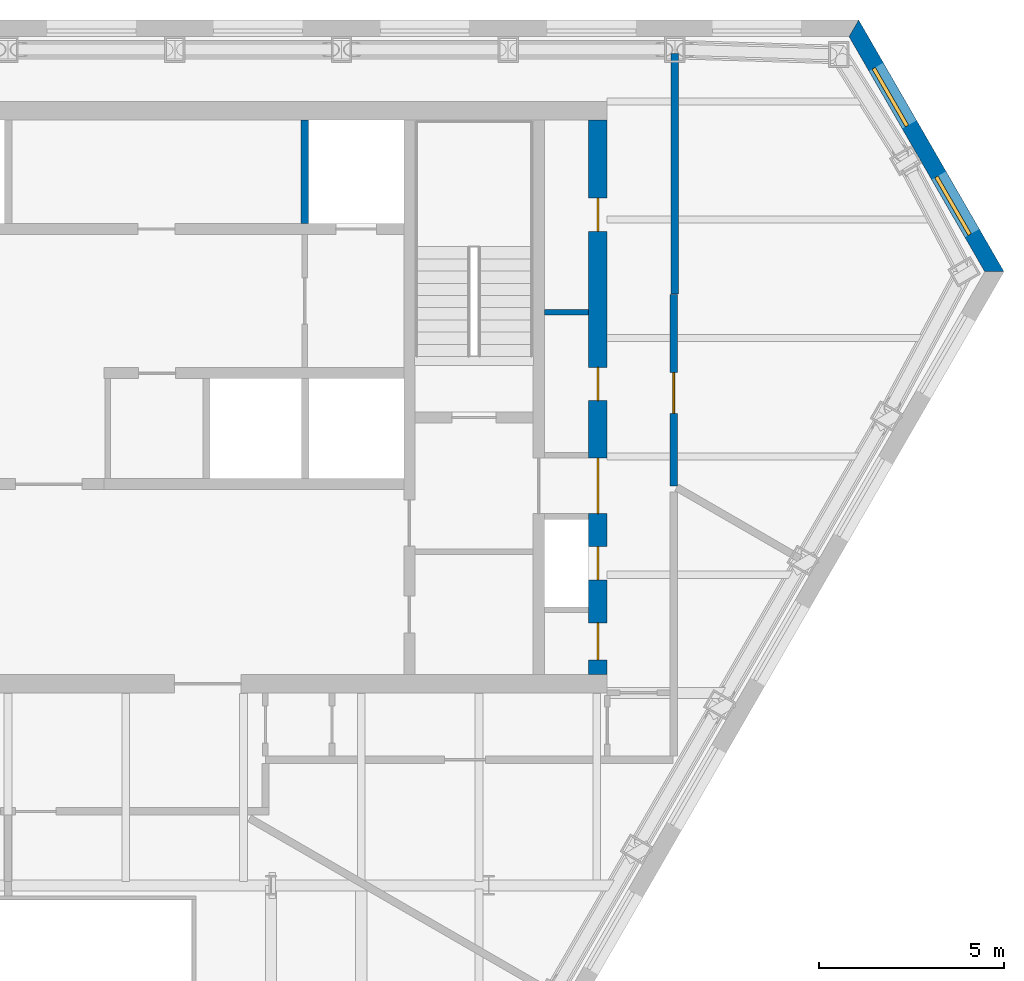
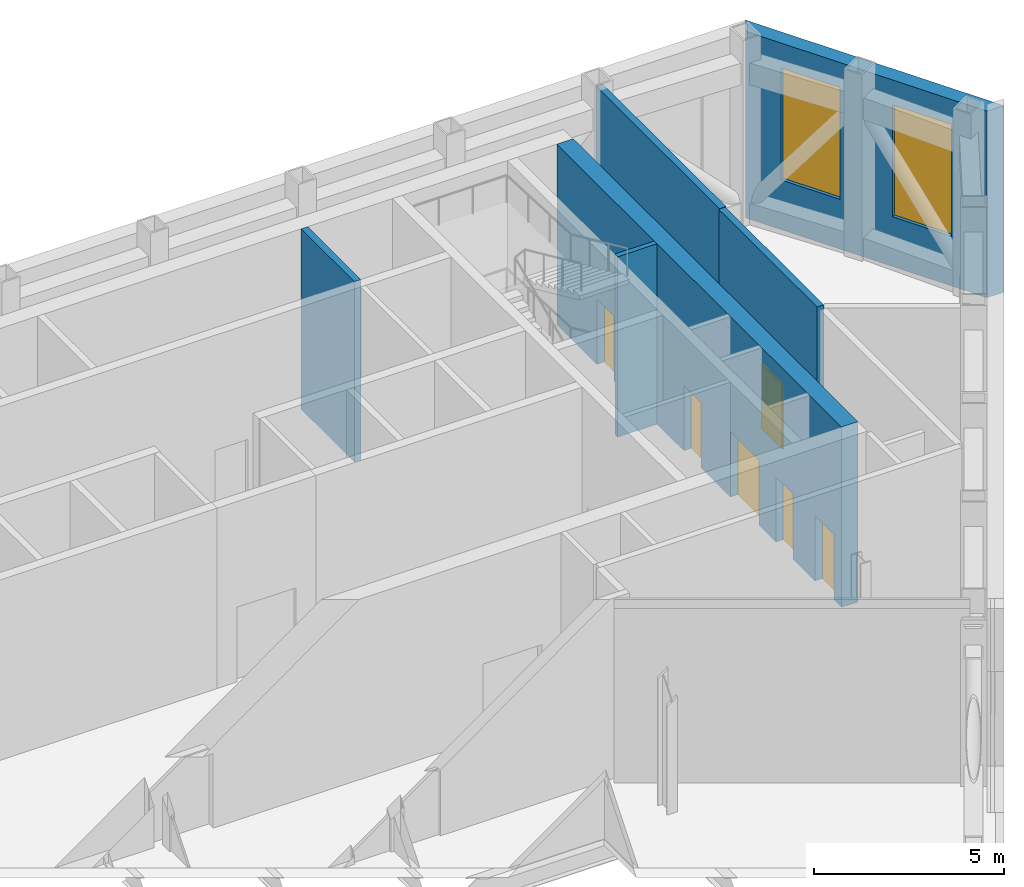
# One storey, part 10 of 13: 6 doors, 6 walls, 2 shading devices, 8 openings.
"""IFC4 building model written with IfcOpenShell, lengths in metres."""

from ifc_helpers import new_model, si_unit, direction, frame, frame_2d, origin, place, context, subcontext, project, spatial, polyline, rectangle, outline, extrude, material, layer, layer_set, type_object, element, fill, save


model = new_model("IFC4")

# Units and contexts
model_context = context("Model", 3, precision=1e-05, world=origin(), true_north=direction((0.0, 1.0)))
body_context = subcontext(model_context, "Body", "Model", "MODEL_VIEW")
ifc_project = project(units=[si_unit("LENGTHUNIT", "METRE"), si_unit("AREAUNIT", "SQUARE_METRE"), si_unit("VOLUMEUNIT", "CUBIC_METRE"), si_unit("PLANEANGLEUNIT", "RADIAN"), si_unit("MASSUNIT", "GRAM", prefix="KILO")], contexts=[model_context])

# Site, building, storey
site_placement = place(None, origin())
site = spatial("IfcSite", under=ifc_project, at=site_placement, CompositionType="ELEMENT")
building_placement = place(site_placement, origin())
building = spatial("IfcBuilding", under=site, at=building_placement, Name="Njiva Tower", CompositionType="ELEMENT")
storey_placement = place(building_placement, frame((0.0, 0.0, 186.6)))
storey = spatial("IfcBuildingStorey", under=building, at=storey_placement, Name="L41", CompositionType="ELEMENT", Elevation=186.6)

# Wall
ifc_material_1 = material(Name="Blockwork", Category="masonry")
ifc_layer_1 = layer(ifc_material_1, 0.15)
ifc_layer_set_1 = layer_set([ifc_layer_1], Name="Blockwork")
wall_type_1 = type_object("IfcWallType", Name="WT1 Compartment partition 150", PredefinedType="PARTITIONING", material=ifc_layer_set_1)
wall_1_placement = place(storey_placement, frame((14.5, 12.2927, 0.0), z_axis=(0.0, 0.0, 1.0), x_axis=(1.0, 0.0, 0.0)))
element("IfcWall", 1, at=wall_1_placement, inside=storey, type_object=wall_type_1, Name="Partition strip E10", PredefinedType="PARTITIONING", context=body_context, shape_type="SweptSolid", body=[
    extrude(rectangle(XDim=1.2, YDim=0.15, at=frame_2d((0.6, 0.0))), origin(), (0.0, 0.0, 1.0), 5.8),
])

# Wall, openings, doors
ifc_material_2 = material(Name="Concrete C60/75", Category="concrete")
ifc_layer_2 = layer(ifc_material_2, 0.5)
ifc_layer_set_2 = layer_set([ifc_layer_2], Name="Concrete C60/75")
wall_type_2 = type_object("IfcWallType", Name="WT13 Core wall 500", PredefinedType="SHEAR", material=ifc_layer_set_2)
wall_2_placement = place(storey_placement, frame((15.95, 2.5, 0.0), z_axis=(0.0, 0.0, 1.0), x_axis=(0.0, 1.0, 0.0)))
wall_2 = element("IfcWall", 2, at=wall_2_placement, inside=storey, type_object=wall_type_2, Name="Core wall east", PredefinedType="SHEAR", context=body_context, shape_type="SweptSolid", body=[
    extrude(rectangle(XDim=15.0, YDim=0.5, at=frame_2d((7.5, 0.0))), origin(), (0.0, 0.0, 1.0), 5.8),
])
opening_1_placement = place(wall_2_placement, frame((4.35, 0.0, 0.0)))
opening_1 = element("IfcOpeningElement", 3, at=opening_1_placement, cuts=wall_2, Name="Opening T3-D927", PredefinedType="OPENING", context=body_context, shape_type="SweptSolid", body=[
    extrude(rectangle(XDim=1.5, YDim=2.1, at=frame_2d((0.75, 1.05))), frame((0.0, 0.26, 0.0), z_axis=(0.0, -1.0, 0.0), x_axis=(1.0, 0.0, 0.0)), (0.0, 0.0, 1.0), 0.52),
])
opening_2_placement = place(wall_2_placement, frame((0.4, 0.0, 0.0)))
opening_2 = element("IfcOpeningElement", 4, at=opening_2_placement, cuts=wall_2, Name="Opening T3-D928", PredefinedType="OPENING", context=body_context, shape_type="SweptSolid", body=[
    extrude(rectangle(XDim=1.0, YDim=2.1, at=frame_2d((0.5, 1.05))), frame((0.0, 0.26, 0.0), z_axis=(0.0, -1.0, 0.0), x_axis=(1.0, 0.0, 0.0)), (0.0, 0.0, 1.0), 0.52),
])
opening_3_placement = place(wall_2_placement, frame((2.5632, 0.0, 0.0)))
opening_3 = element("IfcOpeningElement", 5, at=opening_3_placement, cuts=wall_2, Name="Opening T3-D929", PredefinedType="OPENING", context=body_context, shape_type="SweptSolid", body=[
    extrude(rectangle(XDim=0.9, YDim=2.1, at=frame_2d((0.45, 1.05))), frame((0.0, 0.26, 0.0), z_axis=(0.0, -1.0, 0.0), x_axis=(1.0, 0.0, 0.0)), (0.0, 0.0, 1.0), 0.52),
])
opening_4_placement = place(wall_2_placement, frame((7.4089, 0.0, 0.0)))
opening_4 = element("IfcOpeningElement", 6, at=opening_4_placement, cuts=wall_2, Name="Opening T3-D930", PredefinedType="OPENING", context=body_context, shape_type="SweptSolid", body=[
    extrude(rectangle(XDim=0.9, YDim=2.1, at=frame_2d((0.45, 1.05))), frame((0.0, 0.26, 0.0), z_axis=(0.0, -1.0, 0.0), x_axis=(1.0, 0.0, 0.0)), (0.0, 0.0, 1.0), 0.52),
])
opening_5_placement = place(wall_2_placement, frame((11.9839, 0.0, 0.0)))
opening_5 = element("IfcOpeningElement", 7, at=opening_5_placement, cuts=wall_2, Name="Opening T3-D931", PredefinedType="OPENING", context=body_context, shape_type="SweptSolid", body=[
    extrude(rectangle(XDim=0.9, YDim=2.1, at=frame_2d((0.45, 1.05))), frame((0.0, 0.26, 0.0), z_axis=(0.0, -1.0, 0.0), x_axis=(1.0, 0.0, 0.0)), (0.0, 0.0, 1.0), 0.52),
])
ifc_material_3 = material(Name="Glazed steel fire door", Category="steel")
door_type_1 = type_object("IfcDoorType", Name="D10 Exit door double 1500x2100 glazed", OperationType="DOUBLE_DOOR_SINGLE_SWING", PredefinedType="DOOR", material=ifc_material_3)
door_1_placement = place(opening_1_placement, origin())
door_1 = element("IfcDoor", 8, at=door_1_placement, inside=storey, type_object=door_type_1, Name="Stair B corridor door", OperationType="DOUBLE_DOOR_SINGLE_SWING", OverallHeight=2.1, OverallWidth=1.5, PredefinedType="DOOR", context=body_context, shape_type="SweptSolid", body=[
    extrude(rectangle(XDim=1.5, YDim=2.1, at=frame_2d((0.75, 1.05))), frame((0.0, 0.025, 0.0), z_axis=(0.0, -1.0, 0.0), x_axis=(1.0, 0.0, 0.0)), (0.0, 0.0, 1.0), 0.05),
])
fill(opening_1, door_1)
ifc_material_4 = material(Name="Steel door, painted", Category="steel")
door_type_2 = type_object("IfcDoorType", Name="D4 Riser door 900x2100", OperationType="SINGLE_SWING_LEFT", PredefinedType="DOOR", material=ifc_material_4)
door_2_placement = place(opening_3_placement, origin())
door_2 = element("IfcDoor", 9, at=door_2_placement, inside=storey, type_object=door_type_2, Name="Mechanical riser door", OperationType="SINGLE_SWING_LEFT", OverallHeight=2.1, OverallWidth=0.9, PredefinedType="DOOR", context=body_context, shape_type="SweptSolid", body=[
    extrude(rectangle(XDim=0.9, YDim=2.1, at=frame_2d((0.45, 1.05))), frame((0.0, 0.025, 0.0), z_axis=(0.0, -1.0, 0.0), x_axis=(1.0, 0.0, 0.0)), (0.0, 0.0, 1.0), 0.05),
])
fill(opening_3, door_2)
door_type_3 = type_object("IfcDoorType", Name="D5 Steel door 1000x2100", OperationType="SINGLE_SWING_LEFT", PredefinedType="DOOR", material=ifc_material_4)
door_3_placement = place(opening_2_placement, origin())
door_3 = element("IfcDoor", 10, at=door_3_placement, inside=storey, type_object=door_type_3, Name="Telecoms plant room door", OperationType="SINGLE_SWING_LEFT", OverallHeight=2.1, OverallWidth=1.0, PredefinedType="DOOR", context=body_context, shape_type="SweptSolid", body=[
    extrude(rectangle(XDim=1.0, YDim=2.1, at=frame_2d((0.5, 1.05))), frame((0.0, 0.025, 0.0), z_axis=(0.0, -1.0, 0.0), x_axis=(1.0, 0.0, 0.0)), (0.0, 0.0, 1.0), 0.05),
])
fill(opening_2, door_3)
ifc_material_5 = material(Name="Steel fire door, painted", Category="steel")
door_type_4 = type_object("IfcDoorType", Name="D6 Fire-rated door 900x2100", OperationType="SINGLE_SWING_LEFT", PredefinedType="DOOR", material=ifc_material_5)
door_4_placement = place(opening_4_placement, origin())
door_4 = element("IfcDoor", 11, at=door_4_placement, inside=storey, type_object=door_type_4, Name="Cable plant store door", OperationType="SINGLE_SWING_RIGHT", OverallHeight=2.1, OverallWidth=0.9, PredefinedType="DOOR", context=body_context, shape_type="SweptSolid", body=[
    extrude(rectangle(XDim=0.9, YDim=2.1, at=frame_2d((0.45, 1.05))), frame((0.0, 0.025, 0.0), z_axis=(0.0, -1.0, 0.0), x_axis=(1.0, 0.0, 0.0)), (0.0, 0.0, 1.0), 0.05),
])
fill(opening_4, door_4)
door_5_placement = place(opening_5_placement, origin())
door_5 = element("IfcDoor", 12, at=door_5_placement, inside=storey, type_object=door_type_4, Name="Cable plant store door", OperationType="SINGLE_SWING_RIGHT", OverallHeight=2.1, OverallWidth=0.9, PredefinedType="DOOR", context=body_context, shape_type="SweptSolid", body=[
    extrude(rectangle(XDim=0.9, YDim=2.1, at=frame_2d((0.45, 1.05))), frame((0.0, 0.025, 0.0), z_axis=(0.0, -1.0, 0.0), x_axis=(1.0, 0.0, 0.0)), (0.0, 0.0, 1.0), 0.05),
])
fill(opening_5, door_5)

# Wall, opening, door
ifc_layer_3 = layer(ifc_material_1, 0.2)
ifc_layer_set_3 = layer_set([ifc_layer_3], Name="Blockwork")
wall_type_3 = type_object("IfcWallType", Name="WT23 Refuge wall 200", PredefinedType="PARTITIONING", material=ifc_layer_set_3)
wall_3_placement = place(storey_placement, frame((18.0, 7.593, 0.0), z_axis=(0.0, 0.0, 1.0), x_axis=(0.0, 1.0, 0.0)))
wall_3 = element("IfcWall", 13, at=wall_3_placement, inside=storey, type_object=wall_type_3, Name="Partition T3-P034", PredefinedType="PARTITIONING", context=body_context, shape_type="SweptSolid", body=[
    extrude(rectangle(XDim=5.182, YDim=0.2, at=frame_2d((2.591, 0.0))), origin(), (0.0, 0.0, 1.0), 5.8),
])
opening_6_placement = place(wall_3_placement, frame((1.972, 0.0, 0.0)))
opening_6 = element("IfcOpeningElement", 14, at=opening_6_placement, cuts=wall_3, Name="Opening T3-D020", PredefinedType="OPENING", context=body_context, shape_type="SweptSolid", body=[
    extrude(rectangle(XDim=1.1, YDim=2.1, at=frame_2d((0.55, 1.05))), frame((0.0, 0.11, 0.0), z_axis=(0.0, -1.0, 0.0), x_axis=(1.0, 0.0, 0.0)), (0.0, 0.0, 1.0), 0.22),
])
ifc_material_6 = material(Name="Steel door set", Category="steel")
door_type_5 = type_object("IfcDoorType", Name="D35 Refuge door 1100x2100", OperationType="SINGLE_SWING_LEFT", PredefinedType="DOOR", material=ifc_material_6)
door_6_placement = place(opening_6_placement, origin())
door_6 = element("IfcDoor", 15, at=door_6_placement, inside=storey, type_object=door_type_5, Name="Door T3-D020", OperationType="SINGLE_SWING_LEFT", OverallHeight=2.1, OverallWidth=1.1, PredefinedType="DOOR", context=body_context, shape_type="SweptSolid", body=[
    extrude(rectangle(XDim=1.1, YDim=2.1, at=frame_2d((0.55, 1.05))), frame((0.0, 0.025, 0.0), z_axis=(0.0, -1.0, 0.0), x_axis=(1.0, 0.0, 0.0)), (0.0, 0.0, 1.0), 0.05),
])
fill(opening_6, door_6)

# Walls
wall_4_placement = place(storey_placement, frame((18.031, 12.793, 0.0), z_axis=(0.0, 0.0, 1.0), x_axis=(0.0, 1.0, 0.0)))
element("IfcWall", 16, at=wall_4_placement, inside=storey, type_object=wall_type_3, Name="Partition T3-P035", PredefinedType="PARTITIONING", context=body_context, shape_type="SweptSolid", body=[
    extrude(rectangle(XDim=6.507, YDim=0.2, at=frame_2d((3.2535, 0.0))), origin(), (0.0, 0.0, 1.0), 5.8),
])
ifc_material_7 = material(Name="Concrete C40/50", Category="concrete")
ifc_layer_4 = layer(ifc_material_7, 0.2)
ifc_layer_set_4 = layer_set([ifc_layer_4], Name="Concrete C40/50")
wall_type_4 = type_object("IfcWallType", Name="WT6 Lift shaft wall 200", PredefinedType="SHEAR", material=ifc_layer_set_4)
wall_5_placement = place(storey_placement, frame((8.025, 14.7, 0.0), z_axis=(0.0, 0.0, 1.0), x_axis=(0.0, 1.0, 0.0)))
element("IfcWall", 17, at=wall_5_placement, inside=storey, type_object=wall_type_4, Name="Shaft wall CN7", PredefinedType="SHEAR", context=body_context, shape_type="SweptSolid", body=[
    extrude(rectangle(XDim=2.8, YDim=0.2, at=frame_2d((1.4, 0.0))), origin(), (0.0, 0.0, 1.0), 5.8),
])

# Wall, openings, shading devices
ifc_material_8 = material(Name="Brick masonry, buff", Category="masonry")
ifc_layer_5 = layer(ifc_material_8, 0.45)
ifc_layer_set_5 = layer_set([ifc_layer_5], Name="Brick masonry, buff")
wall_type_5 = type_object("IfcWallType", Name="WT94 Brick pier and spandrel wall 450, buff", PredefinedType="SOLIDWALL", material=ifc_layer_set_5)
wall_6_placement = place(storey_placement, frame((26.6702, 13.393, -0.4), z_axis=(0.0, 0.0, 1.0), x_axis=(-0.499998078497, 0.866026513162, 0.0)))
wall_6 = element("IfcWall", 18, at=wall_6_placement, inside=storey, type_object=wall_type_5, Name="Facade wall NE", PredefinedType="SOLIDWALL", context=body_context, shape_type="SweptSolid", body=[
    extrude(outline(polyline([(-0.1299, -0.225), (7.7301, -0.225), (7.4703, 0.225), (0.1299, 0.225), (-0.1299, -0.225)])), origin(), (0.0, 0.0, 1.0), 6.0),
])
opening_7_placement = place(wall_6_placement, frame((1.2044, 0.0, 1.6)))
opening_7 = element("IfcOpeningElement", 19, at=opening_7_placement, cuts=wall_6, Name="Opening T3-LV35", PredefinedType="OPENING", context=body_context, shape_type="SweptSolid", body=[
    extrude(rectangle(XDim=1.8, YDim=3.6, at=frame_2d((0.9, 1.8))), frame((0.0, 0.235, 0.0), z_axis=(0.0, -1.0, 0.0), x_axis=(1.0, 0.0, 0.0)), (0.0, 0.0, 1.0), 0.47),
])
opening_8_placement = place(wall_6_placement, frame((4.5957, 0.0, 1.6)))
opening_8 = element("IfcOpeningElement", 20, at=opening_8_placement, cuts=wall_6, Name="Opening T3-LV36", PredefinedType="OPENING", context=body_context, shape_type="SweptSolid", body=[
    extrude(rectangle(XDim=1.8, YDim=3.6, at=frame_2d((0.9, 1.8))), frame((0.0, 0.235, 0.0), z_axis=(0.0, -1.0, 0.0), x_axis=(1.0, 0.0, 0.0)), (0.0, 0.0, 1.0), 0.47),
])
ifc_material_9 = material(Name="Aluminium louvre blades", Category="aluminium")
shading_device_type = type_object("IfcShadingDeviceType", Name="LV2 Plant louvre 1800x3600", PredefinedType="JALOUSIE", material=ifc_material_9)
shading_device_1_placement = place(opening_7_placement, origin())
shading_device_1 = element("IfcShadingDevice", 21, at=shading_device_1_placement, inside=storey, type_object=shading_device_type, Name="Plant louvre", PredefinedType="JALOUSIE", context=body_context, shape_type="SweptSolid", body=[
    extrude(rectangle(XDim=1.8, YDim=3.6, at=frame_2d((0.9, 1.8))), frame((0.0, 0.125, 0.0), z_axis=(0.0, -1.0, 0.0), x_axis=(1.0, 0.0, 0.0)), (0.0, 0.0, 1.0), 0.1),
])
fill(opening_7, shading_device_1)
shading_device_2_placement = place(opening_8_placement, origin())
shading_device_2 = element("IfcShadingDevice", 22, at=shading_device_2_placement, inside=storey, type_object=shading_device_type, Name="Plant louvre", PredefinedType="JALOUSIE", context=body_context, shape_type="SweptSolid", body=[
    extrude(rectangle(XDim=1.8, YDim=3.6, at=frame_2d((0.9, 1.8))), frame((0.0, 0.125, 0.0), z_axis=(0.0, -1.0, 0.0), x_axis=(1.0, 0.0, 0.0)), (0.0, 0.0, 1.0), 0.1),
])
fill(opening_8, shading_device_2)

save(model, "model.ifc")
